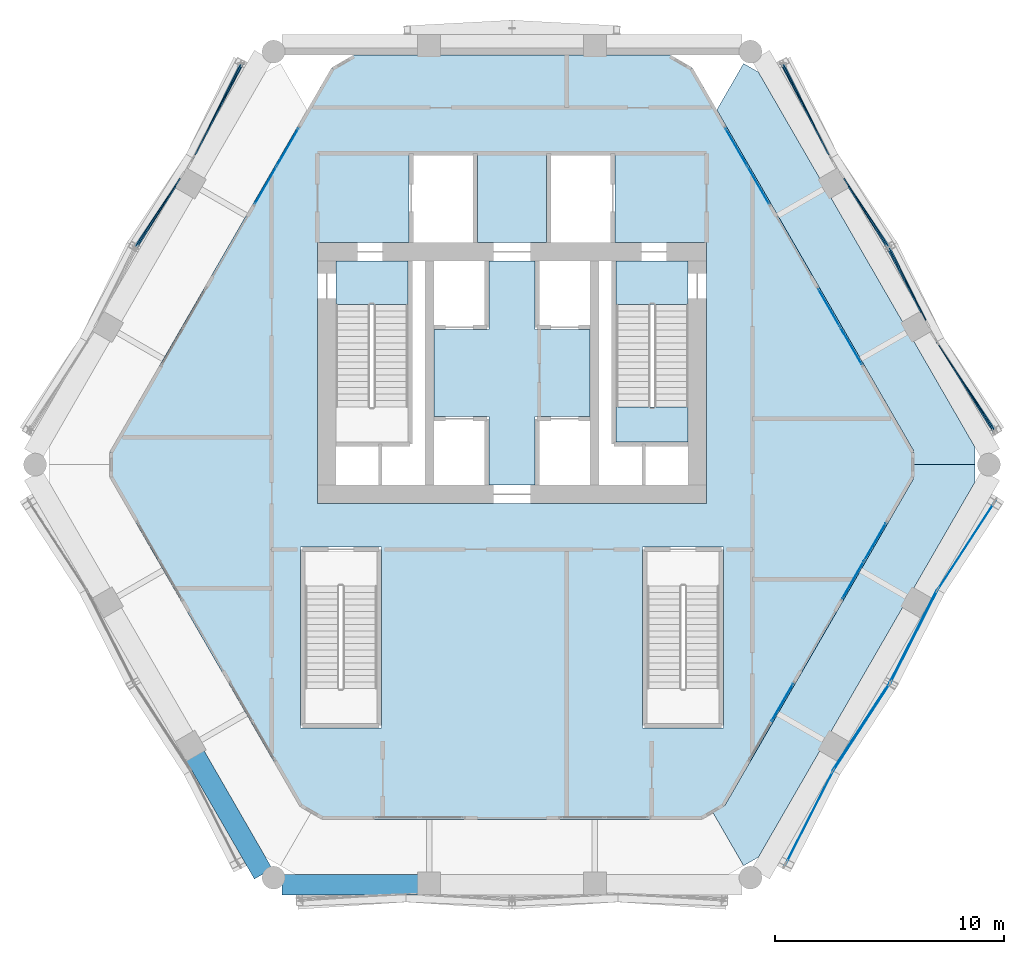
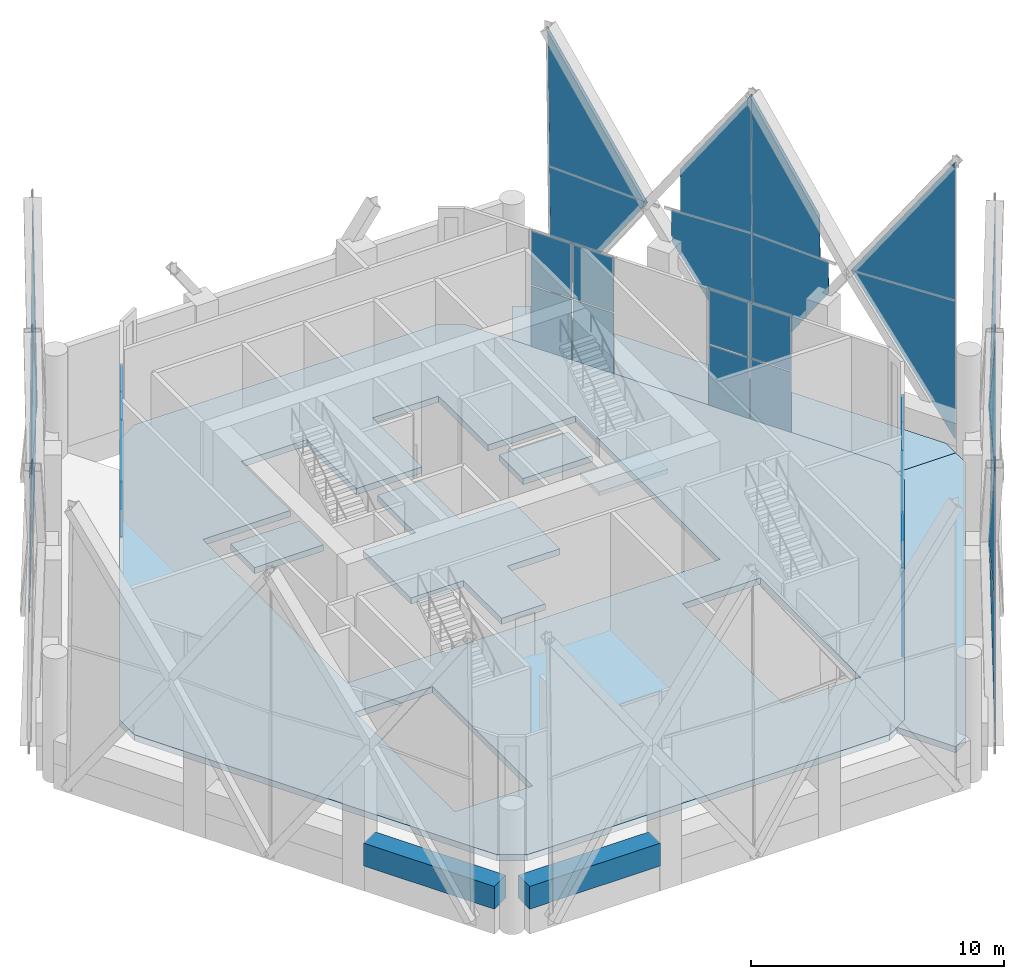
# One storey, part 34 of 43: 38 plates, 7 slabs, 2 walls, 18 elements without a shape of their own.
"""IFC4 building model written with IfcOpenShell, lengths in metres."""

from ifc_helpers import new_model, si_unit, direction, frame, frame_2d, origin, origin_2d, place, context, subcontext, project, spatial, polyline, rectangle, outline, extrude, material, layer, layer_set, type_object, element, aggregate, save


model = new_model("IFC4")

# Units and contexts
model_context = context("Model", 3, precision=1e-05, world=origin(), true_north=direction((0.0, 1.0)))
body_context = subcontext(model_context, "Body", "Model", "MODEL_VIEW")
ifc_project = project(units=[si_unit("LENGTHUNIT", "METRE"), si_unit("AREAUNIT", "SQUARE_METRE"), si_unit("VOLUMEUNIT", "CUBIC_METRE"), si_unit("PLANEANGLEUNIT", "RADIAN"), si_unit("MASSUNIT", "GRAM", prefix="KILO")], contexts=[model_context])

# Site, building, storey
site_placement = place(None, origin())
site = spatial("IfcSite", under=ifc_project, at=site_placement, CompositionType="ELEMENT")
building_placement = place(site_placement, origin())
building = spatial("IfcBuilding", under=site, at=building_placement, Name="Ostrander Bayou Hotel Tower", CompositionType="ELEMENT")
storey_placement = place(building_placement, frame((0.0, 0.0, 151.0)))
storey = spatial("IfcBuildingStorey", under=building, at=storey_placement, Name="L37", CompositionType="ELEMENT", Elevation=151.0)

# Curtain wall, plate
ifc_material_1 = material(Name="Aluminium and clear glass", Category="aluminium")
curtain_wall_type_1 = type_object("IfcCurtainWallType", Name="CW-LAT lattice glazing", PredefinedType="NOTDEFINED", material=ifc_material_1)
curtain_wall_1_placement = place(storey_placement, origin())
curtain_wall_1 = element("IfcCurtainWall", 1, at=curtain_wall_1_placement, inside=storey, type_object=curtain_wall_type_1, Name="CW-LAT L37 NW 3", PredefinedType="NOTDEFINED")
ifc_material_2 = material(Name="Clear laminated glass", Category="glass")
ifc_layer_1 = layer(ifc_material_2, 0.028076171875)
ifc_layer_set_1 = layer_set([ifc_layer_1], Name="CW-LA glazing panel 28 mm")
plate_type_1 = type_object("IfcPlateType", Name="CW-LA glazing panel 28 mm", PredefinedType="CURTAIN_PANEL", material=ifc_layer_set_1)
plate_1_placement = place(storey_placement, frame((-13.93505859375, 13.3896484375, 6.14990234375), z_axis=(-0.890857522262, 0.454172987047, 0.00998863686), x_axis=(0.248422077694, 0.505451657599, -0.826320212233)))
plate_1 = element("IfcPlate", 2, at=plate_1_placement, type_object=plate_type_1, Name="CW-LAT panel 1", PredefinedType="CURTAIN_PANEL", context=body_context, shape_type="SweptSolid", body=[
    extrude(outline(polyline([(0.0, 0.0), (8.168746086650867, -1.3322676295501878e-15), (2.6098861296838685, -3.8297916373076744), (0.0, 0.0)])), origin(), (0.0, 0.0, -1.0), 0.028076171875),
])
aggregate(curtain_wall_1, [plate_1])

curtain_wall_2_placement = place(storey_placement, origin())
curtain_wall_2 = element("IfcCurtainWall", 3, at=curtain_wall_2_placement, inside=storey, type_object=curtain_wall_type_1, Name="CW-LAT L37 NW 4", PredefinedType="NOTDEFINED")
plate_2_placement = place(storey_placement, frame((-13.93505859375, 13.3896484375, 6.14990234375), z_axis=(-0.89085780852, 0.454173132986, 0.00995641865), x_axis=(0.265658845299, 0.503059275747, 0.822409109263)))
plate_2 = element("IfcPlate", 4, at=plate_2_placement, type_object=plate_type_1, Name="CW-LAT panel 2", PredefinedType="CURTAIN_PANEL", context=body_context, shape_type="SweptSolid", body=[
    extrude(outline(polyline([(0.0, 0.0), (8.207593913991996, 0.0), (2.6362912684583923, 3.8116634089276653), (0.0, 0.0)])), origin(), (0.0, 0.0, -1.0), 0.028076171875),
])
aggregate(curtain_wall_2, [plate_2])

curtain_wall_3_placement = place(storey_placement, origin())
curtain_wall_3 = element("IfcCurtainWall", 5, at=curtain_wall_3_placement, inside=storey, type_object=curtain_wall_type_1, Name="CW-LAT L37 NW 1", PredefinedType="NOTDEFINED")
plate_3_placement = place(storey_placement, frame((-14.522705078125, 12.51171875, 4.612548828125), z_axis=(-0.838746556585, 0.544436268907, 0.00966244873), x_axis=(-0.315007070728, -0.470666047597, -0.824162615647)))
plate_3 = element("IfcPlate", 6, at=plate_3_placement, type_object=plate_type_1, Name="CW-LAT panel 3", PredefinedType="CURTAIN_PANEL", context=body_context, shape_type="SweptSolid", body=[
    extrude(outline(polyline([(0.0, 0.0), (6.324780231750321, 0.0), (0.7592381449697971, 3.819884774743414), (-1.2669676998658255, 0.8708998706639146), (0.0, 0.0)])), origin(), (0.0, 0.0, -1.0), 0.028076171875),
])
aggregate(curtain_wall_3, [plate_3])

curtain_wall_4_placement = place(storey_placement, origin())
curtain_wall_4 = element("IfcCurtainWall", 7, at=curtain_wall_4_placement, inside=storey, type_object=curtain_wall_type_1, Name="CW-LAT L37 NW 2", PredefinedType="NOTDEFINED")
plate_4_placement = place(storey_placement, frame((-14.706298828125, 12.163818359375, 8.2607421875), z_axis=(-0.838726215946, 0.544467161002, 0.009687377122), x_axis=(-0.30133868452, -0.478868850076, 0.82454813179)))
plate_4 = element("IfcPlate", 8, at=plate_4_placement, type_object=plate_type_1, Name="CW-LAT panel 4", PredefinedType="CURTAIN_PANEL", context=body_context, shape_type="SweptSolid", body=[
    extrude(outline(polyline([(0.0, 0.0), (5.626307630620669, -4.440892098500626e-16), (0.06208320187249594, -3.821807507759444), (-1.7406002289538827, -1.1943066747598285), (0.0, 0.0)])), origin(), (0.0, 0.0, -1.0), 0.028076171875),
])
aggregate(curtain_wall_4, [plate_4])

curtain_wall_5_placement = place(storey_placement, origin())
curtain_wall_5 = element("IfcCurtainWall", 9, at=curtain_wall_5_placement, inside=storey, type_object=curtain_wall_type_1, Name="CW-LAT L37 SE 3", PredefinedType="NOTDEFINED")
plate_5_placement = place(storey_placement, frame((14.020263671875, -13.373291015625, 6.14990234375), z_axis=(-0.891182565931, 0.453644458756, 0.000582426878), x_axis=(-0.257910533039, -0.505607082376, -0.823312598712)))
plate_5 = element("IfcPlate", 10, at=plate_5_placement, type_object=plate_type_1, Name="CW-LAT panel 1", PredefinedType="CURTAIN_PANEL", context=body_context, shape_type="SweptSolid", body=[
    extrude(outline(polyline([(0.0, 0.0), (8.198587037967947, 4.440892098500626e-16), (2.598262046028651, 3.768899711845811), (0.0, 0.0)])), origin(), (0.0, 0.0, -1.0), 0.028076171875),
])

curtain_wall_6_placement = place(storey_placement, origin())
curtain_wall_6 = element("IfcCurtainWall", 11, at=curtain_wall_6_placement, inside=storey, type_object=curtain_wall_type_1, Name="CW-LAT L37 SE 4", PredefinedType="NOTDEFINED")
plate_6_placement = place(storey_placement, frame((14.020263671875, -13.373291015625, 6.14990234375), z_axis=(-0.891182548418, 0.453644449841, 0.000615242582), x_axis=(-0.251276012821, -0.494758888614, 0.831909855404)))
plate_6 = element("IfcPlate", 12, at=plate_6_placement, type_object=plate_type_1, Name="CW-LAT panel 2", PredefinedType="CURTAIN_PANEL", context=body_context, shape_type="SweptSolid", body=[
    extrude(outline(polyline([(0.0, 0.0), (8.113859880555804, -1.3322676295501878e-15), (2.540228221142365, -3.80825567449145), (0.0, 0.0)])), origin(), (0.0, 0.0, -1.0), 0.028076171875),
])

curtain_wall_7_placement = place(storey_placement, origin())
curtain_wall_7 = element("IfcCurtainWall", 13, at=curtain_wall_7_placement, inside=storey, type_object=curtain_wall_type_1, Name="CW-LAT L37 SE 1", PredefinedType="NOTDEFINED")
plate_7_placement = place(storey_placement, frame((14.020263671875, -13.373291015625, 6.14990234375), z_axis=(0.838450926811, -0.544977103491, 0.0), x_axis=(0.305894865119, 0.47062130046, -0.827613389843)))
plate_7 = element("IfcPlate", 14, at=plate_7_placement, type_object=plate_type_1, Name="CW-LAT panel 3", PredefinedType="CURTAIN_PANEL", context=body_context, shape_type="SweptSolid", body=[
    extrude(outline(polyline([(0.0, 0.0), (8.155982108119677, -8.881784197001252e-16), (2.569591726679248, 3.7887653010116438), (0.0, 0.0)])), origin(), (0.0, 0.0, -1.0), 0.028076171875),
])

curtain_wall_8_placement = place(storey_placement, origin())
curtain_wall_8 = element("IfcCurtainWall", 15, at=curtain_wall_8_placement, inside=storey, type_object=curtain_wall_type_1, Name="CW-LAT L37 SE 2", PredefinedType="NOTDEFINED")
plate_8_placement = place(storey_placement, frame((14.020263671875, -13.373291015625, 6.14990234375), z_axis=(-0.838450926811, 0.544977103491, 0.0), x_axis=(0.305894865119, 0.47062130046, 0.827613389843)))
plate_8 = element("IfcPlate", 16, at=plate_8_placement, type_object=plate_type_1, Name="CW-LAT panel 4", PredefinedType="CURTAIN_PANEL", context=body_context, shape_type="SweptSolid", body=[
    extrude(outline(polyline([(0.0, 0.0), (8.155982108119677, -8.881784197001252e-16), (2.569591726679248, 3.7887653010116438), (0.0, 0.0)])), origin(), (0.0, 0.0, -1.0), 0.028076171875),
])

# Plate
plate_9_placement = place(storey_placement, frame((18.591552734375, -5.455078125, 6.14990234375), z_axis=(-0.891215250658, 0.453580617967, 0.0), x_axis=(-0.25459000804, -0.500229703041, -0.827619581693)))
plate_9 = element("IfcPlate", 17, at=plate_9_placement, type_object=plate_type_1, Name="CW-LAT panel 5", PredefinedType="CURTAIN_PANEL", context=body_context, shape_type="SweptSolid", body=[
    extrude(outline(polyline([(0.0, 0.0), (8.155921089000628, -8.881784197001252e-16), (2.569488912572727, 3.7887036751600167), (0.0, 0.0)])), origin(), (0.0, 0.0, -1.0), 0.028076171875),
])

aggregate(curtain_wall_5, [plate_5, plate_9])

plate_10_placement = place(storey_placement, frame((18.591552734375, -5.455078125, 6.14990234375), z_axis=(0.891215250658, -0.453580617967, 0.0), x_axis=(-0.25459000804, -0.500229703041, 0.827619581693)))
plate_10 = element("IfcPlate", 18, at=plate_10_placement, type_object=plate_type_1, Name="CW-LAT panel 6", PredefinedType="CURTAIN_PANEL", context=body_context, shape_type="SweptSolid", body=[
    extrude(outline(polyline([(0.0, 0.0), (8.155921089000628, -8.881784197001252e-16), (2.569488912572727, 3.7887036751600167), (0.0, 0.0)])), origin(), (0.0, 0.0, -1.0), 0.028076171875),
])

aggregate(curtain_wall_6, [plate_6, plate_10])

plate_11_placement = place(storey_placement, frame((18.591552734375, -5.455078125, 6.14990234375), z_axis=(-0.838410574173, 0.545038869541, 0.000582927446), x_axis=(0.308952127368, 0.476128729107, -0.823316473972)))
plate_11 = element("IfcPlate", 19, at=plate_11_placement, type_object=plate_type_1, Name="CW-LAT panel 7", PredefinedType="CURTAIN_PANEL", context=body_context, shape_type="SweptSolid", body=[
    extrude(outline(polyline([(0.0, 0.0), (8.198548448123432, -4.440892098500626e-16), (2.598317991207277, -3.7690359344301516), (0.0, 0.0)])), origin(), (0.0, 0.0, -1.0), 0.028076171875),
])

aggregate(curtain_wall_7, [plate_7, plate_11])

plate_12_placement = place(storey_placement, frame((18.591552734375, -5.455078125, 6.14990234375), z_axis=(-0.838410574173, 0.545038869541, 0.000582927446), x_axis=(0.30285077548, 0.464972978986, 0.831914380573)))
plate_12 = element("IfcPlate", 20, at=plate_12_placement, type_object=plate_type_1, Name="CW-LAT panel 8", PredefinedType="CURTAIN_PANEL", context=body_context, shape_type="SweptSolid", body=[
    extrude(outline(polyline([(0.0, 0.0), (8.113815745497392, 0.0), (2.5402771308688674, 3.8083960346636507), (0.0, 0.0)])), origin(), (0.0, 0.0, -1.0), 0.028076171875),
])

aggregate(curtain_wall_8, [plate_8, plate_12])

# Curtain wall, plate
curtain_wall_9_placement = place(storey_placement, origin())
curtain_wall_9 = element("IfcCurtainWall", 21, at=curtain_wall_9_placement, inside=storey, type_object=curtain_wall_type_1, Name="CW-LAT L37 NE 3", PredefinedType="NOTDEFINED")
plate_13_placement = place(storey_placement, frame((18.563232421875, 5.373291015625, 6.14990234375), z_axis=(0.838721853158, 0.544468601573, 0.00997972629), x_axis=(0.31354568093, -0.467852834741, -0.826318843422)))
plate_13 = element("IfcPlate", 22, at=plate_13_placement, type_object=plate_type_1, Name="CW-LAT panel 1", PredefinedType="CURTAIN_PANEL", context=body_context, shape_type="SweptSolid", body=[
    extrude(outline(polyline([(0.0, 0.0), (8.168759618314233, 8.881784197001252e-16), (2.609853758018229, -3.829723055517698), (0.0, 0.0)])), origin(), (0.0, 0.0, -1.0), 0.028076171875),
])

curtain_wall_10_placement = place(storey_placement, origin())
curtain_wall_10 = element("IfcCurtainWall", 23, at=curtain_wall_10_placement, inside=storey, type_object=curtain_wall_type_1, Name="CW-LAT L37 NE 4", PredefinedType="NOTDEFINED")
plate_14_placement = place(storey_placement, frame((18.563232421875, 5.373291015625, 6.14990234375), z_axis=(0.838721853158, 0.544468601573, 0.00997972629), x_axis=(0.302842262194, -0.481584935165, 0.822412618125)))
plate_14 = element("IfcPlate", 24, at=plate_14_placement, type_object=plate_type_1, Name="CW-LAT panel 2", PredefinedType="CURTAIN_PANEL", context=body_context, shape_type="SweptSolid", body=[
    extrude(outline(polyline([(0.0, 0.0), (8.207558895908347, -8.881784197001252e-16), (2.6362238671224083, 3.8116189529673425), (0.0, 0.0)])), origin(), (0.0, 0.0, -1.0), 0.028076171875),
])

curtain_wall_11_placement = place(storey_placement, origin())
curtain_wall_11 = element("IfcCurtainWall", 25, at=curtain_wall_11_placement, inside=storey, type_object=curtain_wall_type_1, Name="CW-LAT L37 NE 1", PredefinedType="NOTDEFINED")
plate_15_placement = place(storey_placement, frame((18.096435546875, 6.322021484375, 4.611572265625), z_axis=(0.890872589549, 0.454149721186, 0.009698450265), x_axis=(-0.250052421761, 0.508110546601, -0.824195036872)))
plate_15 = element("IfcPlate", 26, at=plate_15_placement, type_object=plate_type_1, Name="CW-LAT panel 3", PredefinedType="CURTAIN_PANEL", context=body_context, shape_type="SweptSolid", body=[
    extrude(outline(polyline([(0.0, 0.0), (6.323343696562466, 4.440892098500626e-16), (0.7575675659890078, 3.819543750761082), (-1.267999789901733, 0.8711274157105164), (0.0, 0.0)])), origin(), (0.0, 0.0, -1.0), 0.028076171875),
])

curtain_wall_12_placement = place(storey_placement, origin())
curtain_wall_12 = element("IfcCurtainWall", 27, at=curtain_wall_12_placement, inside=storey, type_object=curtain_wall_type_1, Name="CW-LAT L37 NE 2", PredefinedType="NOTDEFINED")
plate_16_placement = place(storey_placement, frame((17.886962890625, 6.6552734375, 8.26220703125), z_axis=(0.890860510781, 0.454173940762, 0.00967377192), x_axis=(-0.264051582444, 0.500373265429, 0.824562524647)))
plate_16 = element("IfcPlate", 28, at=plate_16_placement, type_object=plate_type_1, Name="CW-LAT panel 4", PredefinedType="CURTAIN_PANEL", context=body_context, shape_type="SweptSolid", body=[
    extrude(outline(polyline([(0.0, 0.0), (5.624434125095118, -4.440892098500626e-16), (0.05998620454321002, -3.821482097435392), (-1.7419777757630193, -1.1948859608211717), (0.0, 0.0)])), origin(), (0.0, 0.0, -1.0), 0.028076171875),
])

# Plate
plate_17_placement = place(storey_placement, frame((14.522705078125, 12.51171875, 4.612548828125), z_axis=(0.838746556585, 0.544436268907, 0.00966244873), x_axis=(0.315007070728, -0.470666047597, -0.824162615647)))
plate_17 = element("IfcPlate", 29, at=plate_17_placement, type_object=plate_type_1, Name="CW-LAT panel 5", PredefinedType="CURTAIN_PANEL", context=body_context, shape_type="SweptSolid", body=[
    extrude(outline(polyline([(0.0, 0.0), (6.324780231750321, 0.0), (0.7592381449697971, -3.819884774743414), (-1.2669676998658255, -0.8708998706639146), (0.0, 0.0)])), origin(), (0.0, 0.0, -1.0), 0.028076171875),
])

aggregate(curtain_wall_9, [plate_13, plate_17])

plate_18_placement = place(storey_placement, frame((14.706298828125, 12.163818359375, 8.2607421875), z_axis=(0.838726215946, 0.544467161002, 0.009687377122), x_axis=(0.30133868452, -0.478868850076, 0.82454813179)))
plate_18 = element("IfcPlate", 30, at=plate_18_placement, type_object=plate_type_1, Name="CW-LAT panel 6", PredefinedType="CURTAIN_PANEL", context=body_context, shape_type="SweptSolid", body=[
    extrude(outline(polyline([(0.0, 0.0), (5.626307630620669, 4.440892098500626e-16), (0.06208320187249594, 3.821807507759444), (-1.7406002289538827, 1.1943066747598285), (0.0, 0.0)])), origin(), (0.0, 0.0, -1.0), 0.028076171875),
])

aggregate(curtain_wall_10, [plate_14, plate_18])

plate_19_placement = place(storey_placement, frame((13.93505859375, 13.3896484375, 6.14990234375), z_axis=(0.890857522262, 0.454172987047, 0.00998863686), x_axis=(-0.248422077694, 0.505451657599, -0.826320212233)))
plate_19 = element("IfcPlate", 31, at=plate_19_placement, type_object=plate_type_1, Name="CW-LAT panel 7", PredefinedType="CURTAIN_PANEL", context=body_context, shape_type="SweptSolid", body=[
    extrude(outline(polyline([(0.0, 0.0), (8.168746086650867, 1.3322676295501878e-15), (2.6098861296838685, 3.8297916373076744), (0.0, 0.0)])), origin(), (0.0, 0.0, -1.0), 0.028076171875),
])

aggregate(curtain_wall_11, [plate_15, plate_19])

plate_20_placement = place(storey_placement, frame((13.93505859375, 13.3896484375, 6.14990234375), z_axis=(0.89085780852, 0.454173132986, 0.00995641865), x_axis=(-0.265658845299, 0.503059275747, 0.822409109263)))
plate_20 = element("IfcPlate", 32, at=plate_20_placement, type_object=plate_type_1, Name="CW-LAT panel 8", PredefinedType="CURTAIN_PANEL", context=body_context, shape_type="SweptSolid", body=[
    extrude(outline(polyline([(0.0, 0.0), (8.207593913991996, 0.0), (2.6362912684583923, -3.8116634089276653), (0.0, 0.0)])), origin(), (0.0, 0.0, -1.0), 0.028076171875),
])

aggregate(curtain_wall_12, [plate_16, plate_20])

# Curtain wall, plates
ifc_material_3 = material(Name="Aluminium and clear glass", Category="aluminium")
curtain_wall_type_2 = type_object("IfcCurtainWallType", Name="CW-SKY amenity glass wall", PredefinedType="NOTDEFINED", material=ifc_material_3)
curtain_wall_13_placement = place(storey_placement, origin())
curtain_wall_13 = element("IfcCurtainWall", 33, at=curtain_wall_13_placement, inside=storey, type_object=curtain_wall_type_2, Name="CW-SKY L37 NW 1", PredefinedType="NOTDEFINED")
ifc_material_4 = material(Name="Clear laminated glass", Category="glass")
ifc_layer_2 = layer(ifc_material_4, 0.028076171875)
ifc_layer_set_2 = layer_set([ifc_layer_2], Name="CW-SK glazing panel 28 mm")
plate_type_2 = type_object("IfcPlateType", Name="CW-SK glazing panel 28 mm", PredefinedType="CURTAIN_PANEL", material=ifc_layer_set_2)
plate_21_placement = place(storey_placement, frame((-9.803466796875, 13.869873046875, 0.06005859375), z_axis=(0.0, 0.0, 1.0), x_axis=(-0.499999897278, -0.866025463091, 0.0)))
plate_21 = element("IfcPlate", 34, at=plate_21_placement, type_object=plate_type_2, Name="CW-SKY panel 1.1", PredefinedType="CURTAIN_PANEL", context=body_context, shape_type="SweptSolid", body=[
    extrude(rectangle(XDim=1.860107421875, YDim=0.028076171875, at=origin_2d()), origin(), (0.0, 0.0, 1.0), 2.909912109375),
])
plate_22_placement = place(storey_placement, frame((-9.803466796875, 13.869873046875, 3.02978515625), z_axis=(0.0, 0.0, 1.0), x_axis=(-0.499999897278, -0.866025463091, 0.0)))
plate_22 = element("IfcPlate", 35, at=plate_22_placement, type_object=plate_type_2, Name="CW-SKY panel 1.2", PredefinedType="CURTAIN_PANEL", context=body_context, shape_type="SweptSolid", body=[
    extrude(rectangle(XDim=1.860107421875, YDim=0.028076171875, at=origin_2d()), origin(), (0.0, 0.0, 1.0), 2.610107421875),
])
plate_23_placement = place(storey_placement, frame((-10.763427734375, 12.207275390625, 0.06005859375), z_axis=(0.0, 0.0, 1.0), x_axis=(-0.499999897278, -0.866025463091, 0.0)))
plate_23 = element("IfcPlate", 36, at=plate_23_placement, type_object=plate_type_2, Name="CW-SKY panel 2.1", PredefinedType="CURTAIN_PANEL", context=body_context, shape_type="SweptSolid", body=[
    extrude(rectangle(XDim=1.860107421875, YDim=0.028076171875, at=origin_2d()), origin(), (0.0, 0.0, 1.0), 2.909912109375),
])
plate_24_placement = place(storey_placement, frame((-10.763427734375, 12.207275390625, 3.02978515625), z_axis=(0.0, 0.0, 1.0), x_axis=(-0.499999897278, -0.866025463091, 0.0)))
plate_24 = element("IfcPlate", 37, at=plate_24_placement, type_object=plate_type_2, Name="CW-SKY panel 2.2", PredefinedType="CURTAIN_PANEL", context=body_context, shape_type="SweptSolid", body=[
    extrude(rectangle(XDim=1.860107421875, YDim=0.028076171875, at=origin_2d()), origin(), (0.0, 0.0, 1.0), 2.610107421875),
])
aggregate(curtain_wall_13, [plate_21, plate_22, plate_23, plate_24])

curtain_wall_14_placement = place(storey_placement, origin())
curtain_wall_14 = element("IfcCurtainWall", 38, at=curtain_wall_14_placement, inside=storey, type_object=curtain_wall_type_2, Name="CW-SKY L37 SE 1", PredefinedType="NOTDEFINED")
plate_25_placement = place(storey_placement, frame((11.8134765625, -10.388671875, 0.06005859375), z_axis=(0.0, 0.0, 1.0), x_axis=(0.499999897278, 0.866025463091, 0.0)))
plate_25 = element("IfcPlate", 39, at=plate_25_placement, type_object=plate_type_2, Name="CW-SKY panel 2.1", PredefinedType="CURTAIN_PANEL", context=body_context, shape_type="SweptSolid", body=[
    extrude(rectangle(XDim=1.860107421875, YDim=0.028076171875, at=origin_2d()), origin(), (0.0, 0.0, 1.0), 2.909912109375),
])
plate_26_placement = place(storey_placement, frame((11.8134765625, -10.388671875, 3.02978515625), z_axis=(0.0, 0.0, 1.0), x_axis=(0.499999897278, 0.866025463091, 0.0)))
plate_26 = element("IfcPlate", 40, at=plate_26_placement, type_object=plate_type_2, Name="CW-SKY panel 2.2", PredefinedType="CURTAIN_PANEL", context=body_context, shape_type="SweptSolid", body=[
    extrude(rectangle(XDim=1.860107421875, YDim=0.028076171875, at=origin_2d()), origin(), (0.0, 0.0, 1.0), 2.610107421875),
])
aggregate(curtain_wall_14, [plate_25, plate_26])

curtain_wall_15_placement = place(storey_placement, origin())
curtain_wall_15 = element("IfcCurtainWall", 41, at=curtain_wall_15_placement, inside=storey, type_object=curtain_wall_type_2, Name="CW-SKY L37 SE 3", PredefinedType="NOTDEFINED")
plate_27_placement = place(storey_placement, frame((14.9033203125, -5.036376953125, 0.06005859375), z_axis=(0.0, 0.0, 1.0), x_axis=(0.499999897278, 0.866025463091, 0.0)))
plate_27 = element("IfcPlate", 42, at=plate_27_placement, type_object=plate_type_2, Name="CW-SKY panel 1.1", PredefinedType="CURTAIN_PANEL", context=body_context, shape_type="SweptSolid", body=[
    extrude(rectangle(XDim=1.860107421875, YDim=0.028076171875, at=origin_2d()), origin(), (0.0, 0.0, 1.0), 2.909912109375),
])
plate_28_placement = place(storey_placement, frame((14.9033203125, -5.036376953125, 3.02978515625), z_axis=(0.0, 0.0, 1.0), x_axis=(0.499999897278, 0.866025463091, 0.0)))
plate_28 = element("IfcPlate", 43, at=plate_28_placement, type_object=plate_type_2, Name="CW-SKY panel 1.2", PredefinedType="CURTAIN_PANEL", context=body_context, shape_type="SweptSolid", body=[
    extrude(rectangle(XDim=1.860107421875, YDim=0.028076171875, at=origin_2d()), origin(), (0.0, 0.0, 1.0), 2.610107421875),
])
plate_29_placement = place(storey_placement, frame((15.86328125, -3.373779296875, 0.06005859375), z_axis=(0.0, 0.0, 1.0), x_axis=(0.499999897278, 0.866025463091, 0.0)))
plate_29 = element("IfcPlate", 44, at=plate_29_placement, type_object=plate_type_2, Name="CW-SKY panel 2.1", PredefinedType="CURTAIN_PANEL", context=body_context, shape_type="SweptSolid", body=[
    extrude(rectangle(XDim=1.860107421875, YDim=0.028076171875, at=origin_2d()), origin(), (0.0, 0.0, 1.0), 2.909912109375),
])
plate_30_placement = place(storey_placement, frame((15.86328125, -3.373779296875, 3.02978515625), z_axis=(0.0, 0.0, 1.0), x_axis=(0.499999897278, 0.866025463091, 0.0)))
plate_30 = element("IfcPlate", 45, at=plate_30_placement, type_object=plate_type_2, Name="CW-SKY panel 2.2", PredefinedType="CURTAIN_PANEL", context=body_context, shape_type="SweptSolid", body=[
    extrude(rectangle(XDim=1.860107421875, YDim=0.028076171875, at=origin_2d()), origin(), (0.0, 0.0, 1.0), 2.610107421875),
])
aggregate(curtain_wall_15, [plate_27, plate_28, plate_29, plate_30])

curtain_wall_16_placement = place(storey_placement, origin())
curtain_wall_16 = element("IfcCurtainWall", 46, at=curtain_wall_16_placement, inside=storey, type_object=curtain_wall_type_2, Name="CW-SKY L37 NE 2", PredefinedType="NOTDEFINED")
plate_31_placement = place(storey_placement, frame((14.8134765625, 5.1923828125, 0.06005859375), z_axis=(0.0, 0.0, 1.0), x_axis=(-0.499999897278, 0.866025463091, 0.0)))
plate_31 = element("IfcPlate", 47, at=plate_31_placement, type_object=plate_type_2, Name="CW-SKY panel 1.1", PredefinedType="CURTAIN_PANEL", context=body_context, shape_type="SweptSolid", body=[
    extrude(rectangle(XDim=1.860107421875, YDim=0.028076171875, at=origin_2d()), origin(), (0.0, 0.0, 1.0), 2.909912109375),
])
plate_32_placement = place(storey_placement, frame((14.8134765625, 5.1923828125, 3.02978515625), z_axis=(0.0, 0.0, 1.0), x_axis=(-0.499999897278, 0.866025463091, 0.0)))
plate_32 = element("IfcPlate", 48, at=plate_32_placement, type_object=plate_type_2, Name="CW-SKY panel 1.2", PredefinedType="CURTAIN_PANEL", context=body_context, shape_type="SweptSolid", body=[
    extrude(rectangle(XDim=1.860107421875, YDim=0.028076171875, at=origin_2d()), origin(), (0.0, 0.0, 1.0), 2.610107421875),
])
plate_33_placement = place(storey_placement, frame((13.853515625, 6.855224609375, 0.06005859375), z_axis=(0.0, 0.0, 1.0), x_axis=(-0.499999897278, 0.866025463091, 0.0)))
plate_33 = element("IfcPlate", 49, at=plate_33_placement, type_object=plate_type_2, Name="CW-SKY panel 2.1", PredefinedType="CURTAIN_PANEL", context=body_context, shape_type="SweptSolid", body=[
    extrude(rectangle(XDim=1.860107421875, YDim=0.028076171875, at=origin_2d()), origin(), (0.0, 0.0, 1.0), 2.909912109375),
])
plate_34_placement = place(storey_placement, frame((13.853515625, 6.855224609375, 3.02978515625), z_axis=(0.0, 0.0, 1.0), x_axis=(-0.499999897278, 0.866025463091, 0.0)))
plate_34 = element("IfcPlate", 50, at=plate_34_placement, type_object=plate_type_2, Name="CW-SKY panel 2.2", PredefinedType="CURTAIN_PANEL", context=body_context, shape_type="SweptSolid", body=[
    extrude(rectangle(XDim=1.860107421875, YDim=0.028076171875, at=origin_2d()), origin(), (0.0, 0.0, 1.0), 2.610107421875),
])
aggregate(curtain_wall_16, [plate_31, plate_32, plate_33, plate_34])

curtain_wall_17_placement = place(storey_placement, origin())
curtain_wall_17 = element("IfcCurtainWall", 51, at=curtain_wall_17_placement, inside=storey, type_object=curtain_wall_type_2, Name="CW-SKY L37 NE 4", PredefinedType="NOTDEFINED")
plate_35_placement = place(storey_placement, frame((10.763427734375, 12.207275390625, 0.06005859375), z_axis=(0.0, 0.0, 1.0), x_axis=(-0.499999897278, 0.866025463091, 0.0)))
plate_35 = element("IfcPlate", 52, at=plate_35_placement, type_object=plate_type_2, Name="CW-SKY panel 1.1", PredefinedType="CURTAIN_PANEL", context=body_context, shape_type="SweptSolid", body=[
    extrude(rectangle(XDim=1.860107421875, YDim=0.028076171875, at=origin_2d()), origin(), (0.0, 0.0, 1.0), 2.909912109375),
])
plate_36_placement = place(storey_placement, frame((10.763427734375, 12.207275390625, 3.02978515625), z_axis=(0.0, 0.0, 1.0), x_axis=(-0.499999897278, 0.866025463091, 0.0)))
plate_36 = element("IfcPlate", 53, at=plate_36_placement, type_object=plate_type_2, Name="CW-SKY panel 1.2", PredefinedType="CURTAIN_PANEL", context=body_context, shape_type="SweptSolid", body=[
    extrude(rectangle(XDim=1.860107421875, YDim=0.028076171875, at=origin_2d()), origin(), (0.0, 0.0, 1.0), 2.610107421875),
])
plate_37_placement = place(storey_placement, frame((9.803466796875, 13.869873046875, 0.06005859375), z_axis=(0.0, 0.0, 1.0), x_axis=(-0.499999897278, 0.866025463091, 0.0)))
plate_37 = element("IfcPlate", 54, at=plate_37_placement, type_object=plate_type_2, Name="CW-SKY panel 2.1", PredefinedType="CURTAIN_PANEL", context=body_context, shape_type="SweptSolid", body=[
    extrude(rectangle(XDim=1.860107421875, YDim=0.028076171875, at=origin_2d()), origin(), (0.0, 0.0, 1.0), 2.909912109375),
])
plate_38_placement = place(storey_placement, frame((9.803466796875, 13.869873046875, 3.02978515625), z_axis=(0.0, 0.0, 1.0), x_axis=(-0.499999897278, 0.866025463091, 0.0)))
plate_38 = element("IfcPlate", 55, at=plate_38_placement, type_object=plate_type_2, Name="CW-SKY panel 2.2", PredefinedType="CURTAIN_PANEL", context=body_context, shape_type="SweptSolid", body=[
    extrude(rectangle(XDim=1.860107421875, YDim=0.028076171875, at=origin_2d()), origin(), (0.0, 0.0, 1.0), 2.610107421875),
])
aggregate(curtain_wall_17, [plate_35, plate_36, plate_37, plate_38])

# Slabs
ifc_material_5 = material(Name="Concrete f'c 40 MPa", Category="concrete")
ifc_layer_3 = layer(ifc_material_5, 0.300048828125)
ifc_layer_set_3 = layer_set([ifc_layer_3], Name="SL1 floor slab 300 mm f'c 40 MPa")
slab_type_1 = type_object("IfcSlabType", Name="SL1 floor slab 300 mm f'c 40 MPa", PredefinedType="FLOOR", material=ifc_layer_set_3)
slab_1_placement = place(storey_placement, frame((0.0, 0.0, -0.300048828125)))
element("IfcSlab", 56, at=slab_1_placement, inside=storey, type_object=slab_type_1, Name="SL1 L37 1", PredefinedType="FLOOR", context=body_context, shape_type="SweptSolid", body=[
    extrude(outline(polyline([(7.90966796875, 17.300048828125), (17.551513671875, 0.60009765625), (17.551513671875, -0.60009765625), (9.29541015625, -14.89990234375), (8.256103515625, -15.5), (-8.256103515625, -15.5), (-9.29541015625, -14.89990234375), (-17.551513671875, -0.60009765625), (-17.551513671875, 0.60009765625), (-7.90966796875, 17.300048828125), (-6.87060546875, 17.89990234375), (6.87060546875, 17.89990234375), (7.90966796875, 17.300048828125)]), holes=[polyline([(9.25, -3.60009765625), (5.699951171875, -3.60009765625), (5.699951171875, -11.5), (9.25, -11.5), (9.25, -3.60009765625)]), polyline([(-8.5, -1.699951171875), (8.5, -1.699951171875), (8.5, 9.699951171875), (4.5, 9.699951171875), (4.5, 13.60009765625), (1.5, 13.60009765625), (1.5, 9.699951171875), (-1.5, 9.699951171875), (-1.5, 13.60009765625), (-4.5, 13.60009765625), (-4.5, 9.699951171875), (-8.5, 9.699951171875), (-8.5, -1.699951171875)]), polyline([(-5.699951171875, -3.60009765625), (-9.25, -3.60009765625), (-9.25, -11.5), (-5.699951171875, -11.5), (-5.699951171875, -3.60009765625)])]), origin(), (0.0, 0.0, 1.0), 0.300048828125),
])
slab_2_placement = place(storey_placement, frame((0.0, 0.0, -0.300048828125)))
element("IfcSlab", 57, at=slab_2_placement, inside=storey, type_object=slab_type_1, Name="cslab:L37:001", PredefinedType="FLOOR", context=body_context, shape_type="SweptSolid", body=[
    extrude(outline(polyline([(-3.39990234375, 5.89990234375), (-1.0, 5.89990234375), (-1.0, 8.89990234375), (1.0, 8.89990234375), (1.0, 5.89990234375), (3.39990234375, 5.89990234375), (3.39990234375, 2.10009765625), (1.0, 2.10009765625), (1.0, -0.89990234375), (-1.0, -0.89990234375), (-1.0, 2.10009765625), (-3.39990234375, 2.10009765625), (-3.39990234375, 5.89990234375)])), origin(), (0.0, 0.0, 1.0), 0.300048828125),
])
slab_3_placement = place(storey_placement, frame((0.0, 0.0, -0.300048828125)))
element("IfcSlab", 58, at=slab_3_placement, inside=storey, type_object=slab_type_1, Name="cslab:L37:002", PredefinedType="FLOOR", context=body_context, shape_type="SweptSolid", body=[
    extrude(outline(polyline([(-4.550048828125, 7.0), (-4.550048828125, 8.89990234375), (-7.699951171875, 8.89990234375), (-7.699951171875, 7.0), (-4.550048828125, 7.0)])), origin(), (0.0, 0.0, 1.0), 0.300048828125),
])
slab_4_placement = place(storey_placement, frame((0.0, 0.0, -0.300048828125)))
element("IfcSlab", 59, at=slab_4_placement, inside=storey, type_object=slab_type_1, Name="cslab:L37:003", PredefinedType="FLOOR", context=body_context, shape_type="SweptSolid", body=[
    extrude(outline(polyline([(7.699951171875, 7.0), (7.699951171875, 8.89990234375), (4.550048828125, 8.89990234375), (4.550048828125, 7.0), (7.699951171875, 7.0)])), origin(), (0.0, 0.0, 1.0), 0.300048828125),
])
ifc_material_6 = material(Name="Concrete f'c 40 MPa", Category="concrete")
ifc_layer_4 = layer(ifc_material_6, 0.300048828125)
ifc_layer_set_4 = layer_set([ifc_layer_4], Name="SL4 loggia slab 300 mm f'c 40 MPa")
slab_type_2 = type_object("IfcSlabType", Name="SL4 loggia slab 300 mm f'c 40 MPa", PredefinedType="FLOOR", material=ifc_layer_set_4)
slab_5_placement = place(storey_placement, frame((0.0, 0.0, -0.300048828125)))
element("IfcSlab", 60, at=slab_5_placement, inside=storey, type_object=slab_type_2, Name="SL4 LOGGIA L37 SE 1", PredefinedType="FLOOR", context=body_context, shape_type="SweptSolid", body=[
    extrude(outline(polyline([(17.551513671875, 0.0), (20.236083984375, 0.0), (20.236083984375, -0.75), (13.457763671875, -12.490478515625), (10.767578125, -17.14990234375), (10.1181640625, -17.52490234375), (8.775634765625, -15.199951171875), (9.29541015625, -14.89990234375), (17.551513671875, -0.60009765625), (17.551513671875, 0.0)])), origin(), (0.0, 0.0, 1.0), 0.300048828125),
])
slab_6_placement = place(storey_placement, frame((0.0, 0.0, -0.300048828125)))
element("IfcSlab", 61, at=slab_6_placement, inside=storey, type_object=slab_type_2, Name="SL4 LOGGIA L37 NE 1", PredefinedType="FLOOR", context=body_context, shape_type="SweptSolid", body=[
    extrude(outline(polyline([(10.1181640625, 17.52490234375), (10.767578125, 17.14990234375), (20.236083984375, 0.75), (20.236083984375, 0.0), (17.551513671875, 0.0), (17.551513671875, 0.60009765625), (8.948974609375, 15.5), (10.1181640625, 17.52490234375)])), origin(), (0.0, 0.0, 1.0), 0.300048828125),
])

# Stair, slab
ifc_material_7 = material(Name="Concrete f'c 45 MPa", Category="concrete")
stair_type = type_object("IfcStairType", Name="ST1 exit stair 1500 mm f'c 45 MPa", PredefinedType="HALF_TURN_STAIR", material=ifc_material_7)
stair_placement = place(storey_placement, origin())
stair = element("IfcStair", 62, at=stair_placement, inside=storey, type_object=stair_type, Name="L37 exit stair B", PredefinedType="HALF_TURN_STAIR")
ifc_material_8 = material(Name="Concrete f'c 45 MPa", Category="concrete")
ifc_layer_5 = layer(ifc_material_8, 0.199951171875)
ifc_layer_set_5 = layer_set([ifc_layer_5], Name="SL8 stair landing 200 mm f'c 45 MPa")
slab_type_3 = type_object("IfcSlabType", Name="SL8 stair landing 200 mm f'c 45 MPa", PredefinedType="LANDING", material=ifc_layer_set_5)
slab_7_placement = place(storey_placement, frame((0.0, 0.0, 2.800048828125)))
slab_7 = element("IfcSlab", 63, at=slab_7_placement, type_object=slab_type_3, Name="STB landing 1", PredefinedType="LANDING", context=body_context, shape_type="SweptSolid", body=[
    extrude(outline(polyline([(4.550048828125, 2.52001953125), (4.550048828125, 1.0), (7.699951171875, 1.0), (7.699951171875, 2.52001953125), (4.550048828125, 2.52001953125)])), origin(), (0.0, 0.0, 1.0), 0.199951171875),
])
aggregate(stair, [slab_7])

# Walls
ifc_material_9 = material(Name="Concrete f'c 40 MPa", Category="concrete")
ifc_layer_6 = layer(ifc_material_9, 0.89990234375)
ifc_layer_set_6 = layer_set([ifc_layer_6], Name="PA1 stone-faced parapet 900 mm")
wall_type_1 = type_object("IfcWallType", Name="PA1 stone-faced parapet 900 mm", PredefinedType="PARAPET", material=ifc_layer_set_6)
wall_1_placement = place(storey_placement, frame((-10.052001953125, -18.35009765625, 0.0), z_axis=(0.0, 0.0, 1.0), x_axis=(1.0, 0.0, 0.0)))
element("IfcWall", 64, at=wall_1_placement, inside=storey, type_object=wall_type_1, Name="PA1 L37 S-1", PredefinedType="PARAPET", context=body_context, shape_type="SweptSolid", body=[
    extrude(rectangle(XDim=5.9638671875, YDim=0.89990234375, at=frame_2d((2.98193359375, 0.0))), origin(), (0.0, 0.0, 1.0), 1.10009765625),
])
ifc_material_10 = material(Name="Limestone masonry", Category="masonry")
ifc_layer_7 = layer(ifc_material_10, 0.89990234375)
ifc_layer_set_7 = layer_set([ifc_layer_7], Name="PA2 limestone parapet 900 mm")
wall_type_2 = type_object("IfcWallType", Name="PA2 limestone parapet 900 mm", PredefinedType="PARAPET", material=ifc_layer_set_7)
wall_2_placement = place(storey_placement, frame((-13.847412109375, -12.71533203125, 0.0), z_axis=(0.0, 0.0, 1.0), x_axis=(0.49998703478, -0.866032889128, 0.0)))
element("IfcWall", 65, at=wall_2_placement, inside=storey, type_object=wall_type_2, Name="PA2 L37 SW-3", PredefinedType="PARAPET", context=body_context, shape_type="SweptSolid", body=[
    extrude(rectangle(XDim=5.964111328125, YDim=0.89990234375, at=frame_2d((2.98193359375, 0.0))), origin(), (0.0, 0.0, 1.0), 1.10009765625),
])

save(model, "model.ifc")
